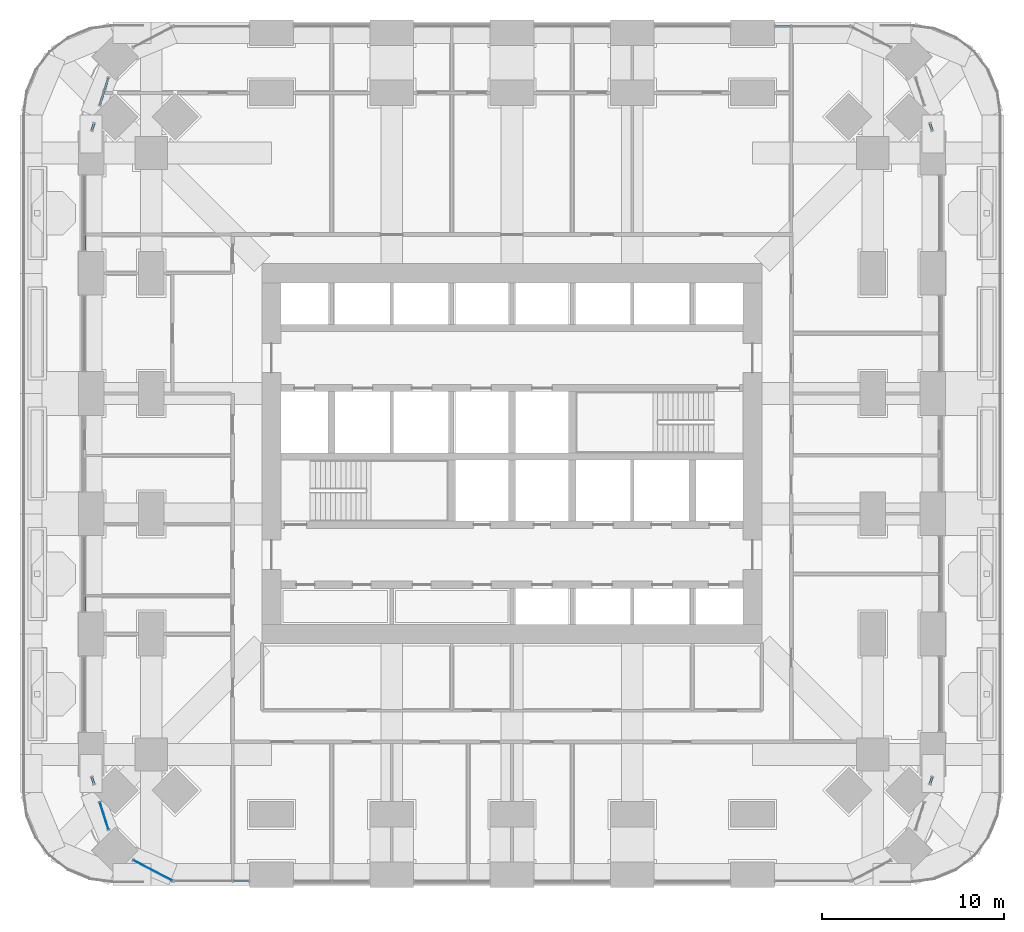
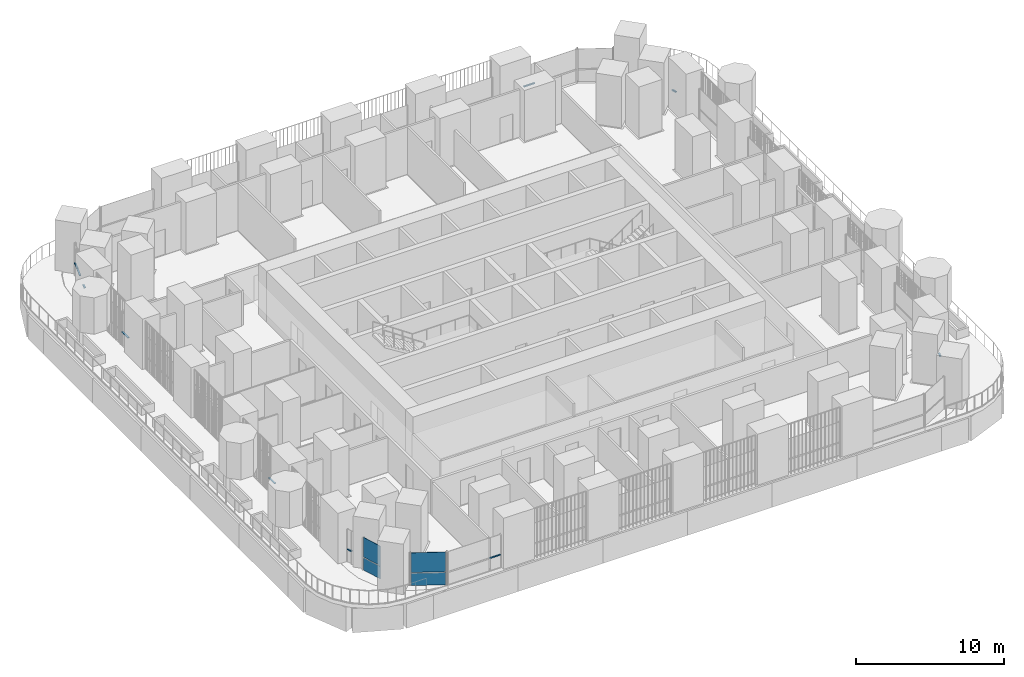
# One storey, part 9 of 27: 10 members, 4 plates, 11 elements without a shape of their own.
"""IFC4 building model written with IfcOpenShell, lengths in metres."""

import ifcopenshell
import ifcopenshell.guid

model = None  # the IFC model being written
_history = None  # IfcOwnerHistory: only IFC2X3 demands one
_inside = {}  # id of a spatial element -> (the spatial element, [elements in it])
_under = {}  # id of a project, library or spatial element -> (it, [spatial elements below it])
_declared = {}  # id of a project -> (the project, [libraries it declares])
_typed = {}  # id of a type object -> (the type object, [elements of that type])
_made_of = {}  # id of a material, layer set ... -> (it, [elements and type objects made of it])


def new_model(schema):
    """Start an empty IFC model of exactly this schema.

    Asked for "IFC4X3", IfcOpenShell would pick the latest addendum, in which some entities
    have other attributes; the version numbers below select the first issue.
    IFC2X3 requires an IfcOwnerHistory on every rooted entity: one is made here for all.
    """
    global model, _history
    if schema == "IFC4X3":
        model = ifcopenshell.file(schema_version=(4, 3, 0, 0))
    else:
        model = ifcopenshell.file(schema=schema)
    _inside.clear()
    _under.clear()
    _declared.clear()
    _typed.clear()
    _made_of.clear()
    _history = None
    if model.schema == "IFC2X3":
        org = make("IfcOrganization", Name="unknown")
        user = make(
            "IfcPersonAndOrganization",
            ThePerson=make("IfcPerson", FamilyName="unknown"),
            TheOrganization=org,
        )
        app = make(
            "IfcApplication",
            ApplicationDeveloper=org,
            Version="unknown",
            ApplicationFullName="unknown",
            ApplicationIdentifier="unknown",
        )
        _history = make(
            "IfcOwnerHistory",
            OwningUser=user,
            OwningApplication=app,
            ChangeAction="ADDED",
            CreationDate=0,
        )
    return model


def make(cls, **values):
    """One entity of the class cls with the attributes given. An attribute that is None is left unset."""
    return model.create_entity(
        cls, **{name: value for name, value in values.items() if value is not None}
    )


def rooted(cls, **values):
    """An entity with a GlobalId (a new one), such as an element, a storey or a relation."""
    return make(cls, GlobalId=ifcopenshell.guid.new(), OwnerHistory=_history, **values)


def si_unit(unit_type, name, prefix=None):
    """IfcSIUnit, for example si_unit("LENGTHUNIT", "METRE", prefix="MILLI")."""
    return make("IfcSIUnit", UnitType=unit_type, Prefix=prefix, Name=name)


def assignment(units):
    """IfcUnitAssignment: the units of a project."""
    return None if units is None else make("IfcUnitAssignment", Units=units)


def point(xyz):
    """IfcCartesianPoint."""
    return None if xyz is None else make("IfcCartesianPoint", Coordinates=xyz)


def direction(xyz):
    """IfcDirection."""
    return None if xyz is None else make("IfcDirection", DirectionRatios=xyz)


def frame(location, z_axis=None, x_axis=None):
    """IfcAxis2Placement3D, a coordinate frame: its origin and axes. An axis left out is left unset."""
    return make(
        "IfcAxis2Placement3D",
        Location=point(location),
        Axis=direction(z_axis),
        RefDirection=direction(x_axis),
    )


def frame_2d(location, x_axis=None):
    """IfcAxis2Placement2D, a coordinate frame in the plane: its origin and x axis."""
    return make(
        "IfcAxis2Placement2D", Location=point(location), RefDirection=direction(x_axis)
    )


def origin():
    """The frame at (0, 0, 0) with its axes left unset."""
    return frame((0.0, 0.0, 0.0))


def origin_2d():
    """The frame at (0, 0) in the plane with its x axis left unset."""
    return frame_2d((0.0, 0.0))


def place(relative_to, where):
    """IfcLocalPlacement: puts the frame where relative to a parent placement (None: the world)."""
    return make(
        "IfcLocalPlacement", PlacementRelTo=relative_to, RelativePlacement=where
    )


def context(
    kind, dimensions, precision=None, world=None, true_north=None, identifier=None
):
    """IfcGeometricRepresentationContext, for example the 3D "Model" context."""
    return make(
        "IfcGeometricRepresentationContext",
        ContextIdentifier=identifier,
        ContextType=kind,
        CoordinateSpaceDimension=dimensions,
        Precision=precision,
        WorldCoordinateSystem=world,
        TrueNorth=true_north,
    )


def subcontext(parent, identifier, kind, view, scale=None):
    """IfcGeometricRepresentationSubContext, for example "Body" below "Model"."""
    return make(
        "IfcGeometricRepresentationSubContext",
        ContextIdentifier=identifier,
        ContextType=kind,
        ParentContext=parent,
        TargetScale=scale,
        TargetView=view,
    )


def project(units=None, contexts=None):
    """IfcProject with its units and contexts."""
    return rooted(
        "IfcProject",
        Name="project",
        RepresentationContexts=contexts,
        UnitsInContext=assignment(units),
    )


def spatial(cls, under=None, at=None, **own):
    """A site, building, storey or space (cls), placed at a placement, below another one or the project."""
    s = rooted(cls, ObjectPlacement=at, **own)
    if under is not None:
        _under.setdefault(under.id(), (under, []))[1].append(s)
    return s


def profile(cls, at=None, kind="AREA", **sizes):
    """A parametric profile (cls). Its sizes go by their IFC names, for example OverallWidth=200.0."""
    return make(cls, ProfileType=kind, Position=at, **sizes)


def rectangle(**sizes):
    """IfcRectangleProfileDef."""
    return profile("IfcRectangleProfileDef", **sizes)


def extrude(swept, where, along, depth):
    """IfcExtrudedAreaSolid: the profile swept, set in the frame where, extruded along a direction by depth."""
    return make(
        "IfcExtrudedAreaSolid",
        SweptArea=swept,
        Position=where,
        ExtrudedDirection=direction(along),
        Depth=depth,
    )


def shape(context_of_items, identifier, shape_type, items):
    """IfcShapeRepresentation: the items that make up one representation, for example the "Body"."""
    return make(
        "IfcShapeRepresentation",
        ContextOfItems=context_of_items,
        RepresentationIdentifier=identifier,
        RepresentationType=shape_type,
        Items=items,
    )


def material(Name=None, Category=None):
    """IfcMaterial."""
    return make("IfcMaterial", Name=Name, Category=Category)


def layer(
    of_material, thickness, ventilated=None, Name=None, Category=None, Priority=None
):
    """IfcMaterialLayer: one layer of a wall or slab, of a material (None: an air gap)."""
    return make(
        "IfcMaterialLayer",
        Material=of_material,
        LayerThickness=thickness,
        IsVentilated=ventilated,
        Name=Name,
        Category=Category,
        Priority=Priority,
    )


def layer_set(layers, Name=None):
    """IfcMaterialLayerSet."""
    return make("IfcMaterialLayerSet", MaterialLayers=layers, LayerSetName=Name)


def material_profile(
    of_material, cross_section, Name=None, Category=None, Priority=None
):
    """IfcMaterialProfile: a cross section and its material."""
    return make(
        "IfcMaterialProfile",
        Name=Name,
        Material=of_material,
        Profile=cross_section,
        Priority=Priority,
        Category=Category,
    )


def profile_set(profiles, Name=None, composite=None):
    """IfcMaterialProfileSet."""
    return make(
        "IfcMaterialProfileSet",
        Name=Name,
        MaterialProfiles=profiles,
        CompositeProfile=composite,
    )


def made_of(thing, what):
    """Note that an element or type object is made of a material, layer set ...; save() writes the relation."""
    if what is not None:
        _made_of.setdefault(what.id(), (what, []))[1].append(thing)
    return thing


def type_object(cls, material=None, **own):
    """A type object (cls), such as IfcWallType, which elements share."""
    return made_of(rooted(cls, **own), material)


def element(
    cls,
    number,
    at=None,
    inside=None,
    cuts=None,
    type_object=None,
    material=None,
    context=None,
    identifier="Body",
    shape_type=None,
    held_by="IfcProductDefinitionShape",
    body=None,
    shapes=None,
    **own,
):
    """One element of the class cls, such as IfcWall. Its Tag is "e" and its number.

    at: its placement. inside: the storey or other place that contains it. cuts: it is an
    opening in that element (IfcRelVoidsElement). A single representation is given by context,
    identifier, shape_type and body (its items); several are given by shapes. held_by: the class
    of the entity that holds the representations. save() writes the other relations.
    """
    e = rooted(cls, Tag="e%d" % number, ObjectPlacement=at, **own)
    if body is not None:
        shapes = [shape(context, identifier, shape_type, body)]
    if shapes is not None:
        e.Representation = make(held_by, Representations=shapes)
    if inside is not None:
        _inside.setdefault(inside.id(), (inside, []))[1].append(e)
    if cuts is not None:
        rooted(
            "IfcRelVoidsElement", RelatingBuildingElement=cuts, RelatedOpeningElement=e
        )
    if type_object is not None:
        _typed.setdefault(type_object.id(), (type_object, []))[1].append(e)
    return made_of(e, material)


def aggregate(whole, parts):
    """IfcRelAggregates: a whole, such as a stair, and the parts it consists of."""
    return rooted("IfcRelAggregates", RelatingObject=whole, RelatedObjects=parts)


def save(model, path):
    """Write the relations noted so far, then the file.

    IfcRelAggregates (storeys below a building ...), IfcRelContainedInSpatialStructure (elements
    in a storey), IfcRelDefinesByType, IfcRelAssociatesMaterial and IfcRelDeclares: one each for
    every whole, place, type object, material and project.
    """
    for whole, parts in _under.values():
        aggregate(whole, parts)
    for where, things in _inside.values():
        rooted(
            "IfcRelContainedInSpatialStructure",
            RelatedElements=things,
            RelatingStructure=where,
        )
    for kind, things in _typed.values():
        rooted("IfcRelDefinesByType", RelatedObjects=things, RelatingType=kind)
    for what, things in _made_of.values():
        rooted("IfcRelAssociatesMaterial", RelatedObjects=things, RelatingMaterial=what)
    for by, libraries in _declared.values():
        rooted("IfcRelDeclares", RelatingContext=by, RelatedDefinitions=libraries)
    model.write(path)


model = new_model("IFC4")

# Units and contexts
model_context = context("Model", 3, precision=1e-05, world=origin(), true_north=direction((0.0, 1.0)))
body_context = subcontext(model_context, "Body", "Model", "MODEL_VIEW")
ifc_project = project(units=[si_unit("LENGTHUNIT", "METRE"), si_unit("AREAUNIT", "SQUARE_METRE"), si_unit("VOLUMEUNIT", "CUBIC_METRE"), si_unit("PLANEANGLEUNIT", "RADIAN"), si_unit("MASSUNIT", "GRAM", prefix="KILO")], contexts=[model_context])

# Site, building, storey
site_placement = place(None, origin())
site = spatial("IfcSite", under=ifc_project, at=site_placement, CompositionType="ELEMENT")
building_placement = place(site_placement, origin())
building = spatial("IfcBuilding", under=site, at=building_placement, Name="Cobogo Forest Laboratory Tower", CompositionType="ELEMENT")
storey_placement = place(building_placement, frame((0.0, 0.0, 82.199951171875)))
storey = spatial("IfcBuildingStorey", under=building, at=storey_placement, Name="L18", CompositionType="ELEMENT", Elevation=82.199951171875)

# Curtain wall, member
ifc_material_1 = material(Name="Aluminium curtain wall", Category="aluminium")
curtain_wall_type = type_object("IfcCurtainWallType", Name="CW-1 unitised curtain wall, clear glazing, laboratory floors zones A and B", PredefinedType="USERDEFINED", material=ifc_material_1)
curtain_wall_1_placement = place(storey_placement, origin())
curtain_wall_1 = element("IfcCurtainWall", 1, at=curtain_wall_1_placement, inside=storey, type_object=curtain_wall_type, Name="Curtain wall 01 L18", ObjectType="UNITISED CURTAIN WALL", PredefinedType="USERDEFINED")
ifc_material_2 = material(Name="Aluminium transom", Category="aluminium")
ifc_material_profile = material_profile(ifc_material_2, rectangle(XDim=0.1201171875, YDim=0.06005859375, at=origin_2d()), Name="AL 60x120")
ifc_profile_set = profile_set([ifc_material_profile], Name="Aluminium transom")
member_type = type_object("IfcMemberType", Name="TR-1 aluminium transom 60x120", PredefinedType="USERDEFINED", material=ifc_profile_set)
member_1_placement = place(storey_placement, frame((11.10498046875, -0.35009765625, 1.050048828125), z_axis=(1.0, 0.0, 0.0), x_axis=(0.0, 1.0, 0.0)))
member_1 = element("IfcMember", 2, at=member_1_placement, type_object=member_type, Name="CW-1 transom 2.1", ObjectType="TRANSOM", PredefinedType="USERDEFINED", context=body_context, shape_type="SweptSolid", body=[
    extrude(rectangle(XDim=0.1201171875, YDim=0.06005859375, at=origin_2d()), origin(), (0.0, 0.0, 1.0), 0.8349609375),
])
aggregate(curtain_wall_1, [member_1])

curtain_wall_2_placement = place(storey_placement, origin())
curtain_wall_2 = element("IfcCurtainWall", 3, at=curtain_wall_2_placement, inside=storey, type_object=curtain_wall_type, Name="Curtain wall 09 L18", ObjectType="UNITISED CURTAIN WALL", PredefinedType="USERDEFINED")
member_2_placement = place(storey_placement, frame((49.341552734375, 4.990234375, 1.050048828125), z_axis=(0.301131367937, 0.953582665134, 0.0), x_axis=(-0.953582665134, 0.301131367937, 0.0)))
member_2 = element("IfcMember", 4, at=member_2_placement, type_object=member_type, Name="CW-1 transom 1.1", ObjectType="TRANSOM", PredefinedType="USERDEFINED", context=body_context, shape_type="SweptSolid", body=[
    extrude(rectangle(XDim=0.1201171875, YDim=0.06005859375, at=origin_2d()), origin(), (0.0, 0.0, 1.0), 0.36962890625),
])
aggregate(curtain_wall_2, [member_2])

curtain_wall_3_placement = place(storey_placement, origin())
curtain_wall_3 = element("IfcCurtainWall", 5, at=curtain_wall_3_placement, inside=storey, type_object=curtain_wall_type, Name="Curtain wall 15 L18", ObjectType="UNITISED CURTAIN WALL", PredefinedType="USERDEFINED")
member_3_placement = place(storey_placement, frame((49.452880859375, 40.857177734375, 1.050048828125), z_axis=(-0.301131367937, 0.953582665134, 0.0), x_axis=(-0.953582665134, -0.301131367937, 0.0)))
member_3 = element("IfcMember", 6, at=member_3_placement, type_object=member_type, Name="CW-1 transom 1.1", ObjectType="TRANSOM", PredefinedType="USERDEFINED", context=body_context, shape_type="SweptSolid", body=[
    extrude(rectangle(XDim=0.1201171875, YDim=0.06005859375, at=origin_2d()), origin(), (0.0, 0.0, 1.0), 0.36962890625),
])
aggregate(curtain_wall_3, [member_3])

curtain_wall_4_placement = place(storey_placement, origin())
curtain_wall_4 = element("IfcCurtainWall", 7, at=curtain_wall_4_placement, inside=storey, type_object=curtain_wall_type, Name="Curtain wall 18 L18", ObjectType="UNITISED CURTAIN WALL", PredefinedType="USERDEFINED")
member_4_placement = place(storey_placement, frame((41.695068359375, 46.550048828125, 1.050048828125), z_axis=(-1.0, 0.0, 0.0), x_axis=(0.0, -1.0, 0.0)))
member_4 = element("IfcMember", 8, at=member_4_placement, type_object=member_type, Name="CW-1 transom 2.1", ObjectType="TRANSOM", PredefinedType="USERDEFINED", context=body_context, shape_type="SweptSolid", body=[
    extrude(rectangle(XDim=0.1201171875, YDim=0.06005859375, at=origin_2d()), origin(), (0.0, 0.0, 1.0), 0.8349609375),
])
aggregate(curtain_wall_4, [member_4])

# Curtain wall, members
curtain_wall_5_placement = place(storey_placement, origin())
curtain_wall_5 = element("IfcCurtainWall", 9, at=curtain_wall_5_placement, inside=storey, type_object=curtain_wall_type, Name="Curtain wall 25 L18", ObjectType="UNITISED CURTAIN WALL", PredefinedType="USERDEFINED")
member_5_placement = place(storey_placement, frame((4.250244140625, 43.7177734375, 1.050048828125), z_axis=(-0.300838224864, -0.953675187084, 0.0), x_axis=(0.953675187084, -0.300838224864, 0.0)))
member_5 = element("IfcMember", 10, at=member_5_placement, type_object=member_type, Name="CW-1 transom 1.1", ObjectType="TRANSOM", PredefinedType="USERDEFINED", context=body_context, shape_type="SweptSolid", body=[
    extrude(rectangle(XDim=0.1201171875, YDim=0.06005859375, at=origin_2d()), origin(), (0.0, 0.0, 1.0), 0.677734375),
])
member_6_placement = place(storey_placement, frame((4.0283203125, 43.014404296875, 1.050048828125), z_axis=(-0.301116884349, -0.953587238778, 0.0), x_axis=(0.953587238778, -0.301116884349, 0.0)))
member_6 = element("IfcMember", 11, at=member_6_placement, type_object=member_type, Name="CW-1 transom 2.1", ObjectType="TRANSOM", PredefinedType="USERDEFINED", context=body_context, shape_type="SweptSolid", body=[
    extrude(rectangle(XDim=0.1201171875, YDim=0.06005859375, at=origin_2d()), origin(), (0.0, 0.0, 1.0), 0.806640625),
])
aggregate(curtain_wall_5, [member_5, member_6])

# Curtain wall, member
curtain_wall_6_placement = place(storey_placement, origin())
curtain_wall_6 = element("IfcCurtainWall", 12, at=curtain_wall_6_placement, inside=storey, type_object=curtain_wall_type, Name="Curtain wall 26 L18", ObjectType="UNITISED CURTAIN WALL", PredefinedType="USERDEFINED")
member_7_placement = place(storey_placement, frame((3.458251953125, 41.209716796875, 1.050048828125), z_axis=(-0.301131367937, -0.953582665134, 0.0), x_axis=(0.953582665134, -0.301131367937, 0.0)))
member_7 = element("IfcMember", 13, at=member_7_placement, type_object=member_type, Name="CW-1 transom 1.1", ObjectType="TRANSOM", PredefinedType="USERDEFINED", context=body_context, shape_type="SweptSolid", body=[
    extrude(rectangle(XDim=0.1201171875, YDim=0.06005859375, at=origin_2d()), origin(), (0.0, 0.0, 1.0), 0.36962890625),
])
aggregate(curtain_wall_6, [member_7])

curtain_wall_7_placement = place(storey_placement, origin())
curtain_wall_7 = element("IfcCurtainWall", 14, at=curtain_wall_7_placement, inside=storey, type_object=curtain_wall_type, Name="Curtain wall 27 L18", ObjectType="UNITISED CURTAIN WALL", PredefinedType="USERDEFINED")
member_8_placement = place(storey_placement, frame((2.949951171875, 35.094970703125, 1.050048828125), z_axis=(0.0, -1.0, 0.0), x_axis=(1.0, 0.0, 0.0)))
member_8 = element("IfcMember", 15, at=member_8_placement, type_object=member_type, Name="CW-1 transom 2.1", ObjectType="TRANSOM", PredefinedType="USERDEFINED", context=body_context, shape_type="SweptSolid", body=[
    extrude(rectangle(XDim=0.1201171875, YDim=0.06005859375, at=origin_2d()), origin(), (0.0, 0.0, 1.0), 0.8349609375),
])
aggregate(curtain_wall_7, [member_8])

curtain_wall_8_placement = place(storey_placement, origin())
curtain_wall_8 = element("IfcCurtainWall", 16, at=curtain_wall_8_placement, inside=storey, type_object=curtain_wall_type, Name="Curtain wall 30 L18", ObjectType="UNITISED CURTAIN WALL", PredefinedType="USERDEFINED")
member_9_placement = place(storey_placement, frame((2.949951171875, 15.27001953125, 1.050048828125), z_axis=(0.0, -1.0, 0.0), x_axis=(1.0, 0.0, 0.0)))
member_9 = element("IfcMember", 17, at=member_9_placement, type_object=member_type, Name="CW-1 transom 2.1", ObjectType="TRANSOM", PredefinedType="USERDEFINED", context=body_context, shape_type="SweptSolid", body=[
    extrude(rectangle(XDim=0.1201171875, YDim=0.06005859375, at=origin_2d()), origin(), (0.0, 0.0, 1.0), 0.81005859375),
])
aggregate(curtain_wall_8, [member_9])

curtain_wall_9_placement = place(storey_placement, origin())
curtain_wall_9 = element("IfcCurtainWall", 18, at=curtain_wall_9_placement, inside=storey, type_object=curtain_wall_type, Name="Curtain wall 32 L18", ObjectType="UNITISED CURTAIN WALL", PredefinedType="USERDEFINED")
member_10_placement = place(storey_placement, frame((3.346923828125, 5.3427734375, 1.050048828125), z_axis=(0.301131367937, -0.953582665134, 0.0), x_axis=(0.953582665134, 0.301131367937, 0.0)))
member_10 = element("IfcMember", 19, at=member_10_placement, type_object=member_type, Name="CW-1 transom 1.1", ObjectType="TRANSOM", PredefinedType="USERDEFINED", context=body_context, shape_type="SweptSolid", body=[
    extrude(rectangle(XDim=0.1201171875, YDim=0.06005859375, at=origin_2d()), origin(), (0.0, 0.0, 1.0), 0.36962890625),
])
aggregate(curtain_wall_9, [member_10])

# Curtain wall, plates
curtain_wall_10_placement = place(storey_placement, origin())
curtain_wall_10 = element("IfcCurtainWall", 20, at=curtain_wall_10_placement, inside=storey, type_object=curtain_wall_type, Name="Curtain wall 33 L18", ObjectType="UNITISED CURTAIN WALL", PredefinedType="USERDEFINED")
ifc_material_3 = material(Name="Clear insulated glass", Category="glass")
ifc_layer = layer(ifc_material_3, 0.028076171875)
ifc_layer_set = layer_set([ifc_layer], Name="GP-1 clear insulated glass unit 28")
plate_type = type_object("IfcPlateType", Name="GP-1 clear insulated glass unit 28", PredefinedType="CURTAIN_PANEL", material=ifc_layer_set)
plate_1_placement = place(storey_placement, frame((4.017822265625, 3.218505859375, 0.0), z_axis=(0.0, 0.0, 1.0), x_axis=(0.301135106076, -0.953581484661, 0.0)))
plate_1 = element("IfcPlate", 21, at=plate_1_placement, type_object=plate_type, Name="CW-1 panel 1.1", PredefinedType="CURTAIN_PANEL", context=body_context, shape_type="SweptSolid", body=[
    extrude(rectangle(XDim=1.54443359375, YDim=0.028076171875, at=origin_2d()), origin(), (0.0, 0.0, 1.0), 1.02001953125),
])
plate_2_placement = place(storey_placement, frame((4.017822265625, 3.218505859375, 1.080078125), z_axis=(0.0, 0.0, 1.0), x_axis=(0.301135106076, -0.953581484661, 0.0)))
plate_2 = element("IfcPlate", 22, at=plate_2_placement, type_object=plate_type, Name="CW-1 panel 1.2", PredefinedType="CURTAIN_PANEL", context=body_context, shape_type="SweptSolid", body=[
    extrude(rectangle(XDim=1.54443359375, YDim=0.028076171875, at=origin_2d()), origin(), (0.0, 0.0, 1.0), 1.6201171875),
])
aggregate(curtain_wall_10, [plate_1, plate_2])

curtain_wall_11_placement = place(storey_placement, origin())
curtain_wall_11 = element("IfcCurtainWall", 23, at=curtain_wall_11_placement, inside=storey, type_object=curtain_wall_type, Name="Curtain wall 34 L18", ObjectType="UNITISED CURTAIN WALL", PredefinedType="USERDEFINED")
plate_3_placement = place(storey_placement, frame((6.686767578125, 0.233642578125, 0.0), z_axis=(0.0, 0.0, 1.0), x_axis=(0.885686598126, -0.4642835878, 0.0)))
plate_3 = element("IfcPlate", 24, at=plate_3_placement, type_object=plate_type, Name="CW-1 panel 1.1", PredefinedType="CURTAIN_PANEL", context=body_context, shape_type="SweptSolid", body=[
    extrude(rectangle(XDim=2.3935546875, YDim=0.028076171875, at=origin_2d()), origin(), (0.0, 0.0, 1.0), 1.02001953125),
])
plate_4_placement = place(storey_placement, frame((6.686767578125, 0.233642578125, 1.080078125), z_axis=(0.0, 0.0, 1.0), x_axis=(0.885686598126, -0.4642835878, 0.0)))
plate_4 = element("IfcPlate", 25, at=plate_4_placement, type_object=plate_type, Name="CW-1 panel 1.2", PredefinedType="CURTAIN_PANEL", context=body_context, shape_type="SweptSolid", body=[
    extrude(rectangle(XDim=2.3935546875, YDim=0.028076171875, at=origin_2d()), origin(), (0.0, 0.0, 1.0), 1.6201171875),
])
aggregate(curtain_wall_11, [plate_3, plate_4])

save(model, "model.ifc")
